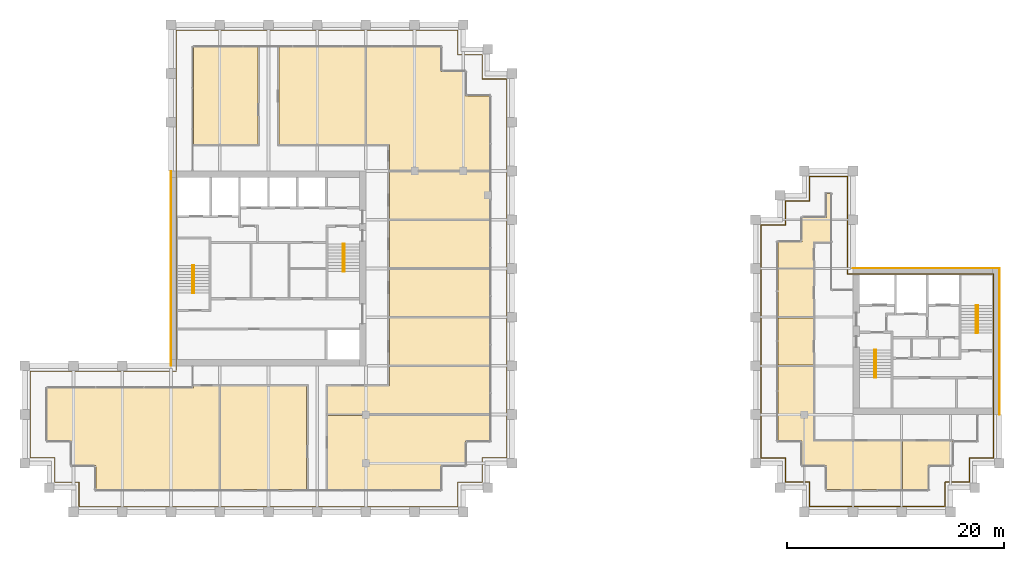
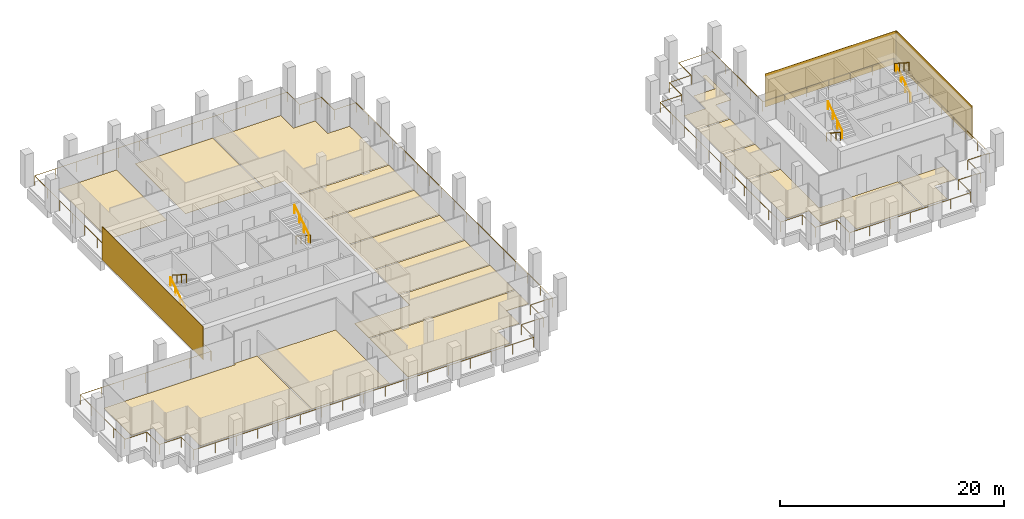
# One storey, part 40 of 40: 19 coverings, 10 railings.
"""IFC4 building model written with IfcOpenShell, lengths in metres."""

from ifc_helpers import new_model, si_unit, direction, frame, origin, origin_2d, place, context, subcontext, project, spatial, polyline, rectangle, circle, outline, extrude, source, transform, mapped, material, layer, layer_set, type_object, element, save


model = new_model("IFC4")

# Units and contexts
model_context = context("Model", 3, precision=1e-05, world=origin(), true_north=direction((0.0, 1.0)))
body_context = subcontext(model_context, "Body", "Model", "MODEL_VIEW")
ifc_project = project(units=[si_unit("LENGTHUNIT", "METRE"), si_unit("AREAUNIT", "SQUARE_METRE"), si_unit("VOLUMEUNIT", "CUBIC_METRE"), si_unit("PLANEANGLEUNIT", "RADIAN"), si_unit("MASSUNIT", "GRAM", prefix="KILO")], contexts=[model_context])

# Site, building, storey
site_placement = place(None, origin())
site = spatial("IfcSite", under=ifc_project, at=site_placement, CompositionType="ELEMENT")
building_placement = place(site_placement, origin())
building = spatial("IfcBuilding", under=site, at=building_placement, Name="Altepetl Exchange Towers", CompositionType="ELEMENT")
storey_placement = place(building_placement, frame((0.0, 0.0, 147.39990234375)))
storey = spatial("IfcBuildingStorey", under=building, at=storey_placement, Name="L36", CompositionType="ELEMENT", Elevation=147.39990234375)

# Coverings
ifc_material_1 = material(Name="Carpet tile")
ifc_layer_1 = layer(ifc_material_1, 0.02001953125)
ifc_layer_set_1 = layer_set([ifc_layer_1], Name="Carpet tile")
covering_type_1 = type_object("IfcCoveringType", Name="Carpet tile floor", PredefinedType="FLOORING", material=ifc_layer_set_1)
covering_1_placement = place(storey_placement, origin())
element("IfcCovering", 1, at=covering_1_placement, inside=storey, type_object=covering_type_1, Name="Fund office floor finish A36.01", PredefinedType="FLOORING", context=body_context, shape_type="SweptSolid", body=[
    extrude(outline(polyline([(31.3125, 31.3125), (33.5625, 31.3125), (33.5625, 29.0625), (44.9375, 29.0625), (44.9375, 38.637451171875), (42.5625, 38.637451171875), (42.5625, 38.4375), (29.0625, 38.4375), (29.0625, 33.5625), (31.3125, 33.5625), (31.3125, 31.3125)])), origin(), (0.0, 0.0, 1.0), 0.02001953125),
])
covering_2_placement = place(storey_placement, origin())
element("IfcCovering", 2, at=covering_2_placement, inside=storey, type_object=covering_type_1, Name="Fund office floor finish A36.02", PredefinedType="FLOORING", context=body_context, shape_type="SweptSolid", body=[
    extrude(outline(polyline([(45.0625, 38.637451171875), (45.0625, 29.0625), (53.03759765625, 29.0625), (53.03759765625, 38.637451171875), (45.0625, 38.637451171875)])), origin(), (0.0, 0.0, 1.0), 0.02001953125),
])
covering_3_placement = place(storey_placement, origin())
element("IfcCovering", 3, at=covering_3_placement, inside=storey, type_object=covering_type_1, Name="Meeting room floor finish A36.05", PredefinedType="FLOORING", context=body_context, shape_type="SweptSolid", body=[
    extrude(outline(polyline([(69.9375, 44.9375), (60.66259765625, 44.9375), (60.66259765625, 40.5625), (69.9375, 40.5625), (69.9375, 44.9375)])), origin(), (0.0, 0.0, 1.0), 0.02001953125),
])
covering_4_placement = place(storey_placement, origin())
element("IfcCovering", 4, at=covering_4_placement, inside=storey, type_object=covering_type_1, Name="Conference room floor finish A36.06", PredefinedType="FLOORING", context=body_context, shape_type="SweptSolid", body=[
    extrude(outline(polyline([(69.9375, 49.4375), (60.66259765625, 49.4375), (60.66259765625, 45.0625), (69.9375, 45.0625), (69.9375, 49.4375)])), origin(), (0.0, 0.0, 1.0), 0.02001953125),
])
covering_5_placement = place(storey_placement, origin())
element("IfcCovering", 5, at=covering_5_placement, inside=storey, type_object=covering_type_1, Name="Meeting room floor finish A36.07", PredefinedType="FLOORING", context=body_context, shape_type="SweptSolid", body=[
    extrude(outline(polyline([(69.9375, 53.9375), (60.66259765625, 53.9375), (60.66259765625, 49.5625), (69.9375, 49.5625), (69.9375, 53.9375)])), origin(), (0.0, 0.0, 1.0), 0.02001953125),
])
covering_6_placement = place(storey_placement, origin())
element("IfcCovering", 6, at=covering_6_placement, inside=storey, type_object=covering_type_1, Name="Conference room floor finish A36.08", PredefinedType="FLOORING", context=body_context, shape_type="SweptSolid", body=[
    extrude(outline(polyline([(69.9375, 54.0625), (69.9375, 58.4375), (60.66259765625, 58.4375), (60.66259765625, 54.0625), (69.9375, 54.0625)])), origin(), (0.0, 0.0, 1.0), 0.02001953125),
])
covering_7_placement = place(storey_placement, origin())
element("IfcCovering", 7, at=covering_7_placement, inside=storey, type_object=covering_type_1, Name="Open office floor finish A36.09", PredefinedType="FLOORING", context=body_context, shape_type="SweptSolid", body=[
    extrude(outline(polyline([(60.66259765625, 58.5625), (69.9375, 58.5625), (69.9375, 65.4375), (67.6875, 65.4375), (67.6875, 67.6875), (65.4375, 67.6875), (65.4375, 69.9375), (58.5625, 69.9375), (58.5625, 60.96240234375), (60.66259765625, 60.96240234375), (60.66259765625, 58.5625)])), origin(), (0.0, 0.0, 1.0), 0.02001953125),
])
covering_8_placement = place(storey_placement, origin())
element("IfcCovering", 8, at=covering_8_placement, inside=storey, type_object=covering_type_1, Name="Open office floor finish A36.10", PredefinedType="FLOORING", context=body_context, shape_type="SweptSolid", body=[
    extrude(outline(polyline([(58.4375, 60.96240234375), (58.4375, 69.9375), (50.46240234375, 69.9375), (50.46240234375, 60.96240234375), (58.4375, 60.96240234375)])), origin(), (0.0, 0.0, 1.0), 0.02001953125),
])
covering_9_placement = place(storey_placement, origin())
element("IfcCovering", 9, at=covering_9_placement, inside=storey, type_object=covering_type_1, Name="Fund office floor finish A36.11", PredefinedType="FLOORING", context=body_context, shape_type="SweptSolid", body=[
    extrude(outline(polyline([(42.5625, 60.96240234375), (48.53759765625, 60.96240234375), (48.53759765625, 69.9375), (42.5625, 69.9375), (42.5625, 60.96240234375)])), origin(), (0.0, 0.0, 1.0), 0.02001953125),
])
covering_10_placement = place(storey_placement, origin())
element("IfcCovering", 10, at=covering_10_placement, inside=storey, type_object=covering_type_1, Name="Family office floor finish B36.01", PredefinedType="FLOORING", context=body_context, shape_type="SweptSolid", body=[
    extrude(outline(polyline([(98.8125, 33.5625), (98.8125, 31.3125), (101.0625, 31.3125), (101.0625, 29.0625), (107.9375, 29.0625), (107.9375, 33.53759765625), (99.83740234375, 33.53759765625), (99.83740234375, 40.4375), (96.5625, 40.4375), (96.5625, 33.5625), (98.8125, 33.5625)])), origin(), (0.0, 0.0, 1.0), 0.02001953125),
])
covering_11_placement = place(storey_placement, origin())
element("IfcCovering", 11, at=covering_11_placement, inside=storey, type_object=covering_type_1, Name="Family office floor finish B36.02", PredefinedType="FLOORING", context=body_context, shape_type="SweptSolid", body=[
    extrude(outline(polyline([(108.0625, 33.53759765625), (108.0625, 29.0625), (110.4375, 29.0625), (110.4375, 31.3125), (112.6875, 31.3125), (112.6875, 33.53759765625), (108.0625, 33.53759765625)])), origin(), (0.0, 0.0, 1.0), 0.02001953125),
])
covering_12_placement = place(storey_placement, origin())
element("IfcCovering", 12, at=covering_12_placement, inside=storey, type_object=covering_type_1, Name="Meeting room floor finish B36.03", PredefinedType="FLOORING", context=body_context, shape_type="SweptSolid", body=[
    extrude(outline(polyline([(96.5625, 49.5625), (99.83740234375, 49.5625), (99.83740234375, 51.96240234375), (101.4375, 51.96240234375), (101.4375, 56.4375), (101.0625, 56.4375), (101.0625, 54.1875), (98.8125, 54.1875), (98.8125, 51.9375), (96.5625, 51.9375), (96.5625, 49.5625)])), origin(), (0.0, 0.0, 1.0), 0.02001953125),
])
covering_13_placement = place(storey_placement, origin())
element("IfcCovering", 13, at=covering_13_placement, inside=storey, type_object=covering_type_1, Name="Interview room floor finish B36.04", PredefinedType="FLOORING", context=body_context, shape_type="SweptSolid", body=[
    extrude(outline(polyline([(96.5625, 45.0625), (99.83740234375, 45.0625), (99.83740234375, 49.4375), (96.5625, 49.4375), (96.5625, 45.0625)])), origin(), (0.0, 0.0, 1.0), 0.02001953125),
])
covering_14_placement = place(storey_placement, origin())
element("IfcCovering", 14, at=covering_14_placement, inside=storey, type_object=covering_type_1, Name="Interview room floor finish B36.05", PredefinedType="FLOORING", context=body_context, shape_type="SweptSolid", body=[
    extrude(outline(polyline([(96.5625, 40.5625), (99.83740234375, 40.5625), (99.83740234375, 44.9375), (96.5625, 44.9375), (96.5625, 40.5625)])), origin(), (0.0, 0.0, 1.0), 0.02001953125),
])
ifc_material_2 = material(Name="Calcium sulphate access floor panel")
ifc_layer_2 = layer(ifc_material_2, 0.0400390625)
ifc_layer_set_2 = layer_set([ifc_layer_2], Name="Calcium sulphate access floor panel")
covering_type_2 = type_object("IfcCoveringType", Name="Raised access floor panels", PredefinedType="FLOORING", material=ifc_layer_set_2)
covering_15_placement = place(storey_placement, origin())
element("IfcCovering", 15, at=covering_15_placement, inside=storey, type_object=covering_type_2, Name="Broker office floor finish A36.03", PredefinedType="FLOORING", context=body_context, shape_type="SweptSolid", body=[
    extrude(outline(polyline([(69.9375, 35.9375), (54.96240234375, 35.9375), (54.96240234375, 29.0625), (65.4375, 29.0625), (65.4375, 31.3125), (67.6875, 31.3125), (67.6875, 33.5625), (69.9375, 33.5625), (69.9375, 35.9375)])), origin(), (0.0, 0.0, 1.0), 0.0400390625),
])
covering_16_placement = place(storey_placement, origin())
element("IfcCovering", 16, at=covering_16_placement, inside=storey, type_object=covering_type_2, Name="Broker office floor finish A36.04", PredefinedType="FLOORING", context=body_context, shape_type="SweptSolid", body=[
    extrude(outline(polyline([(69.9375, 40.4375), (60.66259765625, 40.4375), (60.66259765625, 38.637451171875), (54.96240234375, 38.637451171875), (54.96240234375, 36.0625), (69.9375, 36.0625), (69.9375, 40.4375)])), origin(), (0.0, 0.0, 1.0), 0.0400390625),
])
ifc_material_3 = material(Name="Cantera limestone cladding", Category="masonry")
ifc_layer_3 = layer(ifc_material_3, 0.0400390625)
ifc_layer_set_3 = layer_set([ifc_layer_3], Name="Cantera limestone cladding")
covering_type_3 = type_object("IfcCoveringType", Name="Stone panel 40 cantera", PredefinedType="CLADDING", material=ifc_layer_set_3)
covering_17_placement = place(storey_placement, frame((40.47998046875, 49.5, 0.0), z_axis=(0.0, 0.0, 1.0), x_axis=(0.0, -1.0, 0.0)))
element("IfcCovering", 17, at=covering_17_placement, inside=storey, type_object=covering_type_3, Name="Stone cladding panel", PredefinedType="CLADDING", context=body_context, shape_type="SweptSolid", body=[
    extrude(rectangle(XDim=18.0, YDim=0.0400390625, at=origin_2d()), origin(), (0.0, 0.0, 1.0), 3.60009765625),
])
for number, where, z_axis, x_axis, name in (
    (18, (117.02001953125, 42.75, 0.0), (0.0, 0.0, 1.0), (0.0, 1.0, 0.0), "Stone cladding panel"),
    (19, (110.25, 49.52001953125, 0.0), (0.0, 0.0, 1.0), (-1.0, 0.0, 0.0), "Stone cladding panel"),
):
    element("IfcCovering", number, at=place(storey_placement, frame(where, z_axis=z_axis, x_axis=x_axis)), inside=storey, type_object=covering_type_3, Name=name, PredefinedType="CLADDING", context=body_context, shape_type="SweptSolid", body=[
        extrude(rectangle(XDim=13.5, YDim=0.0400390625, at=origin_2d()), origin(), (0.0, 0.0, 1.0), 3.60009765625),
    ])

# Railings
ifc_material_4 = material(Name="Steel S355", Category="steel")
railing_type_1 = type_object("IfcRailingType", Name="Guard 1100 steel posts and rail", PredefinedType="GUARDRAIL", material=ifc_material_4)
shared_shape_1 = source(origin(), body_context, "Body", "SweptSolid", [
    extrude(circle(Radius=0.02099609375, at=origin_2d()), origin(), (0.0, 0.0, 1.0), 1.052001953125),
])
railing_1_placement = place(storey_placement, frame((41.0, 40.0, 0.0)))
element("IfcRailing", 20, at=railing_1_placement, inside=storey, type_object=railing_type_1, Name="Loggia guard", PredefinedType="GUARDRAIL", context=body_context, shape_type="SweptSolid", body=[
    extrude(circle(Radius=0.02392578125, at=origin_2d()), frame((0.0, 0.0, 1.076171875), z_axis=(-1.0, 0.0, 0.0), x_axis=(0.0, -1.0, 0.0)), (0.0, 0.0, 1.0), 13.5),
    extrude(circle(Radius=0.02392578125, at=origin_2d()), frame((-13.5, 0.0, 1.076171875), z_axis=(0.0, -1.0, 0.0), x_axis=(1.0, 0.0, 0.0)), (0.0, 0.0, 1.0), 8.0),
    extrude(circle(Radius=0.02392578125, at=origin_2d()), frame((-13.5, -8.0, 1.076171875), z_axis=(1.0, 0.0, 0.0), x_axis=(0.0, 1.0, 0.0)), (0.0, 0.0, 1.0), 2.25),
    extrude(circle(Radius=0.02392578125, at=origin_2d()), frame((-11.25, -8.0, 1.076171875), z_axis=(0.0, -1.0, 0.0), x_axis=(1.0, 0.0, 0.0)), (0.0, 0.0, 1.0), 2.25),
    extrude(circle(Radius=0.02392578125, at=origin_2d()), frame((-11.25, -10.25, 1.076171875), z_axis=(1.0, 0.0, 0.0), x_axis=(0.0, 1.0, 0.0)), (0.0, 0.0, 1.0), 2.25),
    extrude(circle(Radius=0.02392578125, at=origin_2d()), frame((-9.0, -10.25, 1.076171875), z_axis=(0.0, -1.0, 0.0), x_axis=(1.0, 0.0, 0.0)), (0.0, 0.0, 1.0), 2.25),
    extrude(circle(Radius=0.02392578125, at=origin_2d()), frame((-9.0, -12.5, 1.076171875), z_axis=(1.0, 0.0, 0.0), x_axis=(0.0, 1.0, 0.0)), (0.0, 0.0, 1.0), 35.0),
    extrude(circle(Radius=0.02392578125, at=origin_2d()), frame((26.0, -12.5, 1.076171875), z_axis=(0.0, 1.0, 0.0), x_axis=(-1.0, 0.0, 0.0)), (0.0, 0.0, 1.0), 2.25),
    extrude(circle(Radius=0.02392578125, at=origin_2d()), frame((26.0, -10.25, 1.076171875), z_axis=(1.0, 0.0, 0.0), x_axis=(0.0, 1.0, 0.0)), (0.0, 0.0, 1.0), 2.25),
    extrude(circle(Radius=0.02392578125, at=origin_2d()), frame((28.25, -10.25, 1.076171875), z_axis=(0.0, 1.0, 0.0), x_axis=(-1.0, 0.0, 0.0)), (0.0, 0.0, 1.0), 2.25),
    extrude(circle(Radius=0.02392578125, at=origin_2d()), frame((28.25, -8.0, 1.076171875), z_axis=(1.0, 0.0, 0.0), x_axis=(0.0, 1.0, 0.0)), (0.0, 0.0, 1.0), 2.25),
    extrude(circle(Radius=0.02392578125, at=origin_2d()), frame((30.5, -8.0, 1.076171875), z_axis=(0.0, 1.0, 0.0), x_axis=(-1.0, 0.0, 0.0)), (0.0, 0.0, 1.0), 35.0),
    extrude(circle(Radius=0.02392578125, at=origin_2d()), frame((30.5, 27.0, 1.076171875), z_axis=(-1.0, 0.0, 0.0), x_axis=(0.0, -1.0, 0.0)), (0.0, 0.0, 1.0), 2.25),
    extrude(circle(Radius=0.02392578125, at=origin_2d()), frame((28.25, 27.0, 1.076171875), z_axis=(0.0, 1.0, 0.0), x_axis=(-1.0, 0.0, 0.0)), (0.0, 0.0, 1.0), 2.25),
    extrude(circle(Radius=0.02392578125, at=origin_2d()), frame((28.25, 29.25, 1.076171875), z_axis=(-1.0, 0.0, 0.0), x_axis=(0.0, -1.0, 0.0)), (0.0, 0.0, 1.0), 2.25),
    extrude(circle(Radius=0.02392578125, at=origin_2d()), frame((26.0, 29.25, 1.076171875), z_axis=(0.0, 1.0, 0.0), x_axis=(-1.0, 0.0, 0.0)), (0.0, 0.0, 1.0), 2.25),
    extrude(circle(Radius=0.02392578125, at=origin_2d()), frame((26.0, 31.5, 1.076171875), z_axis=(-1.0, 0.0, 0.0), x_axis=(0.0, -1.0, 0.0)), (0.0, 0.0, 1.0), 26.0),
    extrude(circle(Radius=0.02392578125, at=origin_2d()), frame((0.0, 31.5, 1.076171875), z_axis=(0.0, -1.0, 0.0), x_axis=(1.0, 0.0, 0.0)), (0.0, 0.0, 1.0), 31.39990234375),
    mapped(shared_shape_1, transform((0.0, 0.0, 0.0))),
    mapped(shared_shape_1, transform((-2.25, 0.0, 0.0))),
    mapped(shared_shape_1, transform((-4.5, 0.0, 0.0))),
    mapped(shared_shape_1, transform((-6.75, 0.0, 0.0))),
    mapped(shared_shape_1, transform((-9.0, 0.0, 0.0))),
    mapped(shared_shape_1, transform((-11.25, 0.0, 0.0))),
    mapped(shared_shape_1, transform((-13.5, 0.0, 0.0))),
    mapped(shared_shape_1, transform((-13.5, -2.0, 0.0))),
    mapped(shared_shape_1, transform((-13.5, -4.0, 0.0))),
    mapped(shared_shape_1, transform((-13.5, -6.0, 0.0))),
    mapped(shared_shape_1, transform((-13.5, -8.0, 0.0))),
    mapped(shared_shape_1, transform((-11.25, -8.0, 0.0))),
    mapped(shared_shape_1, transform((-11.25, -10.25, 0.0))),
    mapped(shared_shape_1, transform((-9.0, -10.25, 0.0))),
    mapped(shared_shape_1, transform((-9.0, -12.5, 0.0))),
    mapped(shared_shape_1, transform((-6.8125, -12.5, 0.0))),
    mapped(shared_shape_1, transform((-4.625, -12.5, 0.0))),
    mapped(shared_shape_1, transform((-2.4375, -12.5, 0.0))),
    mapped(shared_shape_1, transform((-0.25, -12.5, 0.0))),
    mapped(shared_shape_1, transform((1.9375, -12.5, 0.0))),
    mapped(shared_shape_1, transform((4.125, -12.5, 0.0))),
    mapped(shared_shape_1, transform((6.3125, -12.5, 0.0))),
    mapped(shared_shape_1, transform((8.5, -12.5, 0.0))),
    mapped(shared_shape_1, transform((10.6875, -12.5, 0.0))),
    mapped(shared_shape_1, transform((12.875, -12.5, 0.0))),
    mapped(shared_shape_1, transform((15.0625, -12.5, 0.0))),
    mapped(shared_shape_1, transform((17.25, -12.5, 0.0))),
    mapped(shared_shape_1, transform((19.4375, -12.5, 0.0))),
    mapped(shared_shape_1, transform((21.625, -12.5, 0.0))),
    mapped(shared_shape_1, transform((23.8125, -12.5, 0.0))),
    mapped(shared_shape_1, transform((26.0, -12.5, 0.0))),
    mapped(shared_shape_1, transform((26.0, -10.25, 0.0))),
    mapped(shared_shape_1, transform((28.25, -10.25, 0.0))),
    mapped(shared_shape_1, transform((28.25, -8.0, 0.0))),
    mapped(shared_shape_1, transform((30.5, -8.0, 0.0))),
    mapped(shared_shape_1, transform((30.5, -5.8125, 0.0))),
    mapped(shared_shape_1, transform((30.5, -3.625, 0.0))),
    mapped(shared_shape_1, transform((30.5, -1.4375, 0.0))),
    mapped(shared_shape_1, transform((30.5, 0.75, 0.0))),
    mapped(shared_shape_1, transform((30.5, 2.9375, 0.0))),
    mapped(shared_shape_1, transform((30.5, 5.125, 0.0))),
    mapped(shared_shape_1, transform((30.5, 7.3125, 0.0))),
    mapped(shared_shape_1, transform((30.5, 9.5, 0.0))),
    mapped(shared_shape_1, transform((30.5, 11.6875, 0.0))),
    mapped(shared_shape_1, transform((30.5, 13.875, 0.0))),
    mapped(shared_shape_1, transform((30.5, 16.0625, 0.0))),
    mapped(shared_shape_1, transform((30.5, 18.25, 0.0))),
    mapped(shared_shape_1, transform((30.5, 20.4375, 0.0))),
    mapped(shared_shape_1, transform((30.5, 22.625, 0.0))),
    mapped(shared_shape_1, transform((30.5, 24.8125, 0.0))),
    mapped(shared_shape_1, transform((30.5, 27.0, 0.0))),
    mapped(shared_shape_1, transform((28.25, 27.0, 0.0))),
    mapped(shared_shape_1, transform((28.25, 29.25, 0.0))),
    mapped(shared_shape_1, transform((26.0, 29.25, 0.0))),
    mapped(shared_shape_1, transform((26.0, 31.5, 0.0))),
    mapped(shared_shape_1, transform((23.833251953125, 31.5, 0.0))),
    mapped(shared_shape_1, transform((21.666748046875, 31.5, 0.0))),
    mapped(shared_shape_1, transform((19.5, 31.5, 0.0))),
    mapped(shared_shape_1, transform((17.333251953125, 31.5, 0.0))),
    mapped(shared_shape_1, transform((15.166748046875, 31.5, 0.0))),
    mapped(shared_shape_1, transform((13.0, 31.5, 0.0))),
    mapped(shared_shape_1, transform((10.833251953125, 31.5, 0.0))),
    mapped(shared_shape_1, transform((8.666748046875, 31.5, 0.0))),
    mapped(shared_shape_1, transform((6.5, 31.5, 0.0))),
    mapped(shared_shape_1, transform((4.333251953125, 31.5, 0.0))),
    mapped(shared_shape_1, transform((2.166748046875, 31.5, 0.0))),
    mapped(shared_shape_1, transform((0.0, 31.5, 0.0))),
    mapped(shared_shape_1, transform((0.0, 29.257080078125, 0.0))),
    mapped(shared_shape_1, transform((0.0, 27.014404296875, 0.0))),
    mapped(shared_shape_1, transform((0.0, 24.771484375, 0.0))),
    mapped(shared_shape_1, transform((0.0, 22.528564453125, 0.0))),
    mapped(shared_shape_1, transform((0.0, 20.28564453125, 0.0))),
    mapped(shared_shape_1, transform((0.0, 18.04296875, 0.0))),
    mapped(shared_shape_1, transform((0.0, 15.800048828125, 0.0))),
    mapped(shared_shape_1, transform((0.0, 13.55712890625, 0.0))),
    mapped(shared_shape_1, transform((0.0, 11.314453125, 0.0))),
    mapped(shared_shape_1, transform((0.0, 9.071533203125, 0.0))),
    mapped(shared_shape_1, transform((0.0, 6.82861328125, 0.0))),
    mapped(shared_shape_1, transform((0.0, 4.585693359375, 0.0))),
    mapped(shared_shape_1, transform((0.0, 2.343017578125, 0.0))),
    mapped(shared_shape_1, transform((0.0, 0.10009765625, 0.0))),
])
railing_2_placement = place(storey_placement, frame((99.5, 27.5, 0.0)))
element("IfcRailing", 21, at=railing_2_placement, inside=storey, type_object=railing_type_1, Name="Loggia guard", PredefinedType="GUARDRAIL", context=body_context, shape_type="SweptSolid", body=[
    extrude(circle(Radius=0.02392578125, at=origin_2d()), frame((0.0, 0.0, 1.076171875), z_axis=(1.0, 0.0, 0.0), x_axis=(0.0, 1.0, 0.0)), (0.0, 0.0, 1.0), 12.5),
    extrude(circle(Radius=0.02392578125, at=origin_2d()), frame((12.5, 0.0, 1.076171875), z_axis=(0.0, 1.0, 0.0), x_axis=(-1.0, 0.0, 0.0)), (0.0, 0.0, 1.0), 2.25),
    extrude(circle(Radius=0.02392578125, at=origin_2d()), frame((12.5, 2.25, 1.076171875), z_axis=(1.0, 0.0, 0.0), x_axis=(0.0, 1.0, 0.0)), (0.0, 0.0, 1.0), 2.25),
    extrude(circle(Radius=0.02392578125, at=origin_2d()), frame((14.75, 2.25, 1.076171875), z_axis=(0.0, 1.0, 0.0), x_axis=(-1.0, 0.0, 0.0)), (0.0, 0.0, 1.0), 2.25),
    extrude(circle(Radius=0.02392578125, at=origin_2d()), frame((14.75, 4.5, 1.076171875), z_axis=(1.0, 0.0, 0.0), x_axis=(0.0, 1.0, 0.0)), (0.0, 0.0, 1.0), 2.25),
    extrude(circle(Radius=0.02392578125, at=origin_2d()), frame((17.0, 4.5, 1.076171875), z_axis=(0.0, 1.0, 0.0), x_axis=(-1.0, 0.0, 0.0)), (0.0, 0.0, 1.0), 17.0),
    extrude(circle(Radius=0.02392578125, at=origin_2d()), frame((17.0, 21.5, 1.076171875), z_axis=(-1.0, 0.0, 0.0), x_axis=(0.0, -1.0, 0.0)), (0.0, 0.0, 1.0), 13.5),
    extrude(circle(Radius=0.02392578125, at=origin_2d()), frame((3.5, 21.5, 1.076171875), z_axis=(0.0, 1.0, 0.0), x_axis=(-1.0, 0.0, 0.0)), (0.0, 0.0, 1.0), 9.0),
    extrude(circle(Radius=0.02392578125, at=origin_2d()), frame((3.5, 30.5, 1.076171875), z_axis=(-1.0, 0.0, 0.0), x_axis=(0.0, -1.0, 0.0)), (0.0, 0.0, 1.0), 3.5),
    extrude(circle(Radius=0.02392578125, at=origin_2d()), frame((0.0, 30.5, 1.076171875), z_axis=(0.0, -1.0, 0.0), x_axis=(1.0, 0.0, 0.0)), (0.0, 0.0, 1.0), 2.25),
    extrude(circle(Radius=0.02392578125, at=origin_2d()), frame((0.0, 28.25, 1.076171875), z_axis=(-1.0, 0.0, 0.0), x_axis=(0.0, -1.0, 0.0)), (0.0, 0.0, 1.0), 2.25),
    extrude(circle(Radius=0.02392578125, at=origin_2d()), frame((-2.25, 28.25, 1.076171875), z_axis=(0.0, -1.0, 0.0), x_axis=(1.0, 0.0, 0.0)), (0.0, 0.0, 1.0), 2.25),
    extrude(circle(Radius=0.02392578125, at=origin_2d()), frame((-2.25, 26.0, 1.076171875), z_axis=(-1.0, 0.0, 0.0), x_axis=(0.0, -1.0, 0.0)), (0.0, 0.0, 1.0), 2.25),
    extrude(circle(Radius=0.02392578125, at=origin_2d()), frame((-4.5, 26.0, 1.076171875), z_axis=(0.0, -1.0, 0.0), x_axis=(1.0, 0.0, 0.0)), (0.0, 0.0, 1.0), 21.5),
    extrude(circle(Radius=0.02392578125, at=origin_2d()), frame((-4.5, 4.5, 1.076171875), z_axis=(1.0, 0.0, 0.0), x_axis=(0.0, 1.0, 0.0)), (0.0, 0.0, 1.0), 2.25),
    extrude(circle(Radius=0.02392578125, at=origin_2d()), frame((-2.25, 4.5, 1.076171875), z_axis=(0.0, -1.0, 0.0), x_axis=(1.0, 0.0, 0.0)), (0.0, 0.0, 1.0), 2.25),
    extrude(circle(Radius=0.02392578125, at=origin_2d()), frame((-2.25, 2.25, 1.076171875), z_axis=(1.0, 0.0, 0.0), x_axis=(0.0, 1.0, 0.0)), (0.0, 0.0, 1.0), 2.25),
    extrude(circle(Radius=0.02392578125, at=origin_2d()), frame((0.0, 2.25, 1.076171875), z_axis=(0.0, -1.0, 0.0), x_axis=(1.0, 0.0, 0.0)), (0.0, 0.0, 1.0), 2.14990234375),
    mapped(shared_shape_1, transform((0.0, 0.0, 0.0))),
    mapped(shared_shape_1, transform((2.083251953125, 0.0, 0.0))),
    mapped(shared_shape_1, transform((4.166748046875, 0.0, 0.0))),
    mapped(shared_shape_1, transform((6.25, 0.0, 0.0))),
    mapped(shared_shape_1, transform((8.333251953125, 0.0, 0.0))),
    mapped(shared_shape_1, transform((10.416748046875, 0.0, 0.0))),
    mapped(shared_shape_1, transform((12.5, 0.0, 0.0))),
    mapped(shared_shape_1, transform((12.5, 2.25, 0.0))),
    mapped(shared_shape_1, transform((14.75, 2.25, 0.0))),
    mapped(shared_shape_1, transform((14.75, 4.5, 0.0))),
    mapped(shared_shape_1, transform((17.0, 4.5, 0.0))),
    mapped(shared_shape_1, transform((17.0, 6.625, 0.0))),
    mapped(shared_shape_1, transform((17.0, 8.75, 0.0))),
    mapped(shared_shape_1, transform((17.0, 10.875, 0.0))),
    mapped(shared_shape_1, transform((17.0, 13.0, 0.0))),
    mapped(shared_shape_1, transform((17.0, 15.125, 0.0))),
    mapped(shared_shape_1, transform((17.0, 17.25, 0.0))),
    mapped(shared_shape_1, transform((17.0, 19.375, 0.0))),
    mapped(shared_shape_1, transform((17.0, 21.5, 0.0))),
    mapped(shared_shape_1, transform((14.75, 21.5, 0.0))),
    mapped(shared_shape_1, transform((12.5, 21.5, 0.0))),
    mapped(shared_shape_1, transform((10.25, 21.5, 0.0))),
    mapped(shared_shape_1, transform((8.0, 21.5, 0.0))),
    mapped(shared_shape_1, transform((5.75, 21.5, 0.0))),
    mapped(shared_shape_1, transform((3.5, 21.5, 0.0))),
    mapped(shared_shape_1, transform((3.5, 23.75, 0.0))),
    mapped(shared_shape_1, transform((3.5, 26.0, 0.0))),
    mapped(shared_shape_1, transform((3.5, 28.25, 0.0))),
    mapped(shared_shape_1, transform((3.5, 30.5, 0.0))),
    mapped(shared_shape_1, transform((1.75, 30.5, 0.0))),
    mapped(shared_shape_1, transform((0.0, 30.5, 0.0))),
    mapped(shared_shape_1, transform((0.0, 28.25, 0.0))),
    mapped(shared_shape_1, transform((-2.25, 28.25, 0.0))),
    mapped(shared_shape_1, transform((-2.25, 26.0, 0.0))),
    mapped(shared_shape_1, transform((-4.5, 26.0, 0.0))),
    mapped(shared_shape_1, transform((-4.5, 23.85009765625, 0.0))),
    mapped(shared_shape_1, transform((-4.5, 21.699951171875, 0.0))),
    mapped(shared_shape_1, transform((-4.5, 19.550048828125, 0.0))),
    mapped(shared_shape_1, transform((-4.5, 17.39990234375, 0.0))),
    mapped(shared_shape_1, transform((-4.5, 15.25, 0.0))),
    mapped(shared_shape_1, transform((-4.5, 13.10009765625, 0.0))),
    mapped(shared_shape_1, transform((-4.5, 10.949951171875, 0.0))),
    mapped(shared_shape_1, transform((-4.5, 8.800048828125, 0.0))),
    mapped(shared_shape_1, transform((-4.5, 6.64990234375, 0.0))),
    mapped(shared_shape_1, transform((-4.5, 4.5, 0.0))),
    mapped(shared_shape_1, transform((-2.25, 4.5, 0.0))),
    mapped(shared_shape_1, transform((-2.25, 2.25, 0.0))),
    mapped(shared_shape_1, transform((0.0, 2.25, 0.0))),
    mapped(shared_shape_1, transform((0.0, 0.10009765625, 0.0))),
])
ifc_material_5 = material(Name="Steel", Category="steel")
railing_type_2 = type_object("IfcRailingType", Name="Stair handrail 50 steel tube", PredefinedType="HANDRAIL", material=ifc_material_5)
shared_shape_2 = source(origin(), body_context, "Body", "SweptSolid", [
    extrude(circle(Radius=0.02099609375, at=origin_2d()), origin(), (0.0, 0.0, 1.0), 0.851806640625),
])
railing_3_placement = place(storey_placement, frame((42.469970703125, 47.25, 0.18017578125)))
element("IfcRailing", 22, at=railing_3_placement, inside=storey, type_object=railing_type_2, Name="Stair handrail", PredefinedType="HANDRAIL", context=body_context, shape_type="SweptSolid", body=[
    extrude(circle(Radius=0.02392578125, at=origin_2d()), frame((0.0, 0.0, 0.8759765625), z_axis=(0.0, 0.841199657755, 0.540724639528), x_axis=(-1.0, 0.0, 0.0)), (0.0, 0.0, 1.0), 2.995849609375),
    mapped(shared_shape_2, transform((0.0, 0.0, 0.0))),
    mapped(shared_shape_2, transform((0.0, 0.840087890625, 0.5400390625))),
    mapped(shared_shape_2, transform((0.0, 1.679931640625, 1.079833984375))),
    mapped(shared_shape_2, transform((0.0, 2.52001953125, 1.619873046875))),
])
railing_4_placement = place(storey_placement, frame((42.6298828125, 49.77001953125, 1.97998046875)))
element("IfcRailing", 23, at=railing_4_placement, inside=storey, type_object=railing_type_2, Name="Stair handrail", PredefinedType="HANDRAIL", context=body_context, shape_type="SweptSolid", body=[
    extrude(circle(Radius=0.02392578125, at=origin_2d()), frame((0.0, 0.0, 0.8759765625), z_axis=(0.0, -0.841162588446, 0.540782303519), x_axis=(1.0, 0.0, 0.0)), (0.0, 0.0, 1.0), 2.995849609375),
    mapped(shared_shape_2, transform((0.0, 0.0, 0.0))),
    mapped(shared_shape_2, transform((0.0, -0.840087890625, 0.5400390625))),
    mapped(shared_shape_2, transform((0.0, -1.679931640625, 1.080078125))),
    mapped(shared_shape_2, transform((0.0, -2.52001953125, 1.6201171875))),
])
railing_5_placement = place(storey_placement, frame((56.530029296875, 51.75, 0.18017578125)))
element("IfcRailing", 24, at=railing_5_placement, inside=storey, type_object=railing_type_2, Name="Stair handrail", PredefinedType="HANDRAIL", context=body_context, shape_type="SweptSolid", body=[
    extrude(circle(Radius=0.02392578125, at=origin_2d()), frame((0.0, 0.0, 0.8759765625), z_axis=(0.0, -0.841199657755, 0.540724639528), x_axis=(1.0, 0.0, 0.0)), (0.0, 0.0, 1.0), 2.995849609375),
    mapped(shared_shape_2, transform((0.0, 0.0, 0.0))),
    mapped(shared_shape_2, transform((0.0, -0.840087890625, 0.5400390625))),
    mapped(shared_shape_2, transform((0.0, -1.679931640625, 1.079833984375))),
    mapped(shared_shape_2, transform((0.0, -2.52001953125, 1.619873046875))),
])
railing_6_placement = place(storey_placement, frame((56.3701171875, 49.22998046875, 1.97998046875)))
element("IfcRailing", 25, at=railing_6_placement, inside=storey, type_object=railing_type_2, Name="Stair handrail", PredefinedType="HANDRAIL", context=body_context, shape_type="SweptSolid", body=[
    extrude(circle(Radius=0.02392578125, at=origin_2d()), frame((0.0, 0.0, 0.8759765625), z_axis=(0.0, 0.841162588446, 0.540782303519), x_axis=(-1.0, 0.0, 0.0)), (0.0, 0.0, 1.0), 2.995849609375),
    mapped(shared_shape_2, transform((0.0, 0.0, 0.0))),
    mapped(shared_shape_2, transform((0.0, 0.840087890625, 0.5400390625))),
    mapped(shared_shape_2, transform((0.0, 1.679931640625, 1.080078125))),
    mapped(shared_shape_2, transform((0.0, 2.52001953125, 1.6201171875))),
])
railing_7_placement = place(storey_placement, frame((105.469970703125, 41.949951171875, 0.18017578125)))
element("IfcRailing", 26, at=railing_7_placement, inside=storey, type_object=railing_type_2, Name="Stair handrail", PredefinedType="HANDRAIL", context=body_context, shape_type="SweptSolid", body=[
    extrude(circle(Radius=0.02392578125, at=origin_2d()), frame((0.0, 0.0, 0.8759765625), z_axis=(0.0, -0.841199657755, 0.540724639528), x_axis=(1.0, 0.0, 0.0)), (0.0, 0.0, 1.0), 2.995849609375),
    mapped(shared_shape_2, transform((0.0, 0.0, 0.0))),
    mapped(shared_shape_2, transform((0.0, -0.840087890625, 0.5400390625))),
    mapped(shared_shape_2, transform((0.0, -1.679931640625, 1.079833984375))),
    mapped(shared_shape_2, transform((0.0, -2.52001953125, 1.619873046875))),
])
railing_8_placement = place(storey_placement, frame((105.6298828125, 39.429931640625, 1.97998046875)))
element("IfcRailing", 27, at=railing_8_placement, inside=storey, type_object=railing_type_2, Name="Stair handrail", PredefinedType="HANDRAIL", context=body_context, shape_type="SweptSolid", body=[
    extrude(circle(Radius=0.02392578125, at=origin_2d()), frame((0.0, 0.0, 0.8759765625), z_axis=(0.0, 0.841162588446, 0.540782303519), x_axis=(-1.0, 0.0, 0.0)), (0.0, 0.0, 1.0), 2.995849609375),
    mapped(shared_shape_2, transform((0.0, 0.0, 0.0))),
    mapped(shared_shape_2, transform((0.0, 0.840087890625, 0.5400390625))),
    mapped(shared_shape_2, transform((0.0, 1.679931640625, 1.080078125))),
    mapped(shared_shape_2, transform((0.0, 2.52001953125, 1.6201171875))),
])
railing_9_placement = place(storey_placement, frame((115.030029296875, 43.550048828125, 0.18017578125)))
element("IfcRailing", 28, at=railing_9_placement, inside=storey, type_object=railing_type_2, Name="Stair handrail", PredefinedType="HANDRAIL", context=body_context, shape_type="SweptSolid", body=[
    extrude(circle(Radius=0.02392578125, at=origin_2d()), frame((0.0, 0.0, 0.8759765625), z_axis=(0.0, 0.841199657755, 0.540724639528), x_axis=(-1.0, 0.0, 0.0)), (0.0, 0.0, 1.0), 2.995849609375),
    mapped(shared_shape_2, transform((0.0, 0.0, 0.0))),
    mapped(shared_shape_2, transform((0.0, 0.840087890625, 0.5400390625))),
    mapped(shared_shape_2, transform((0.0, 1.679931640625, 1.079833984375))),
    mapped(shared_shape_2, transform((0.0, 2.52001953125, 1.619873046875))),
])
railing_10_placement = place(storey_placement, frame((114.8701171875, 46.070068359375, 1.97998046875)))
element("IfcRailing", 29, at=railing_10_placement, inside=storey, type_object=railing_type_2, Name="Stair handrail", PredefinedType="HANDRAIL", context=body_context, shape_type="SweptSolid", body=[
    extrude(circle(Radius=0.02392578125, at=origin_2d()), frame((0.0, 0.0, 0.8759765625), z_axis=(0.0, -0.841162588446, 0.540782303519), x_axis=(1.0, 0.0, 0.0)), (0.0, 0.0, 1.0), 2.995849609375),
    mapped(shared_shape_2, transform((0.0, 0.0, 0.0))),
    mapped(shared_shape_2, transform((0.0, -0.840087890625, 0.5400390625))),
    mapped(shared_shape_2, transform((0.0, -1.679931640625, 1.080078125))),
    mapped(shared_shape_2, transform((0.0, -2.52001953125, 1.6201171875))),
])

save(model, "model.ifc")
